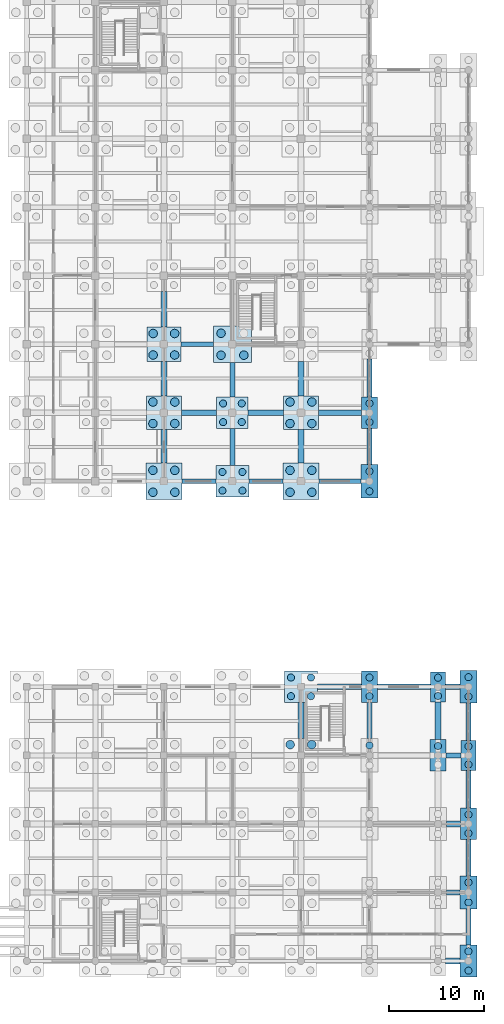
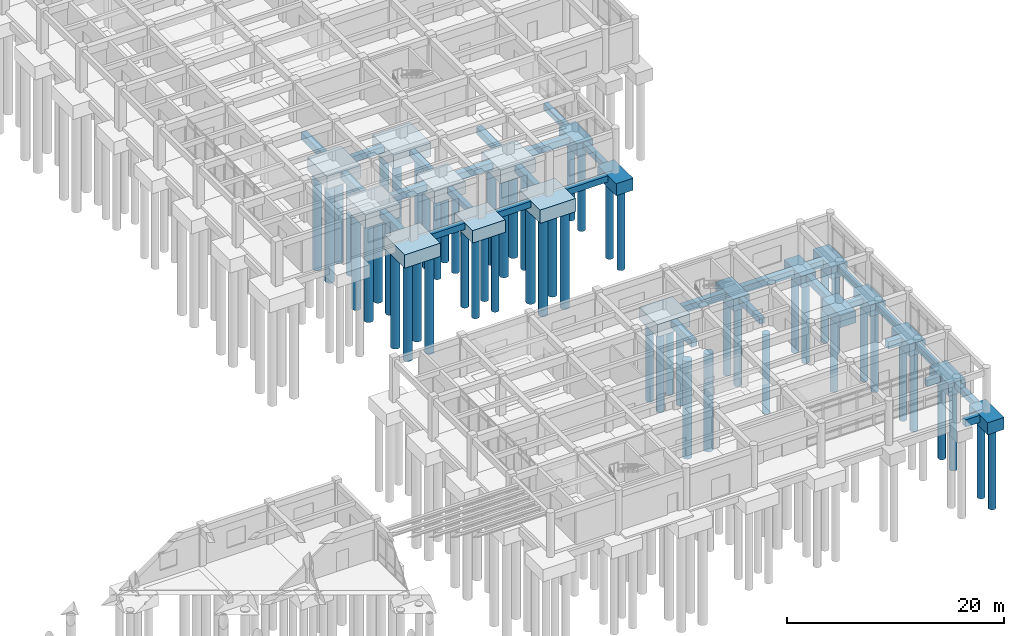
# One storey, part 13 of 79: 57 piles, 49 footings.
"""IFC4 building model written with IfcOpenShell, lengths in metres."""

from ifc_helpers import new_model, si_unit, direction, frame, origin, origin_2d, place, context, subcontext, project, spatial, polyline, rectangle, circle, outline, extrude, material, material_profile, profile_set, type_object, element, save


model = new_model("IFC4")

# Units and contexts
model_context = context("Model", 3, precision=1e-05, world=origin(), true_north=direction((0.0, 1.0)))
body_context = subcontext(model_context, "Body", "Model", "MODEL_VIEW")
ifc_project = project(units=[si_unit("LENGTHUNIT", "METRE"), si_unit("AREAUNIT", "SQUARE_METRE"), si_unit("VOLUMEUNIT", "CUBIC_METRE"), si_unit("PLANEANGLEUNIT", "RADIAN"), si_unit("MASSUNIT", "GRAM", prefix="KILO")], contexts=[model_context])

# Site, building, storey
site_placement = place(None, origin())
site = spatial("IfcSite", under=ifc_project, at=site_placement, CompositionType="ELEMENT")
building_placement = place(site_placement, origin())
building = spatial("IfcBuilding", under=site, at=building_placement, Name="Kavelor Marine Aquarium", CompositionType="ELEMENT")
storey_placement = place(building_placement, origin())
storey = spatial("IfcBuildingStorey", under=building, at=storey_placement, Name="L00", CompositionType="ELEMENT", Elevation=0.0)

# Footings
ifc_material_1 = material(Name="Concrete C40/50", Category="concrete")
footing_type_1 = type_object("IfcFootingType", Name="CAP-PC03", PredefinedType="PILE_CAP", material=ifc_material_1)
footing_1_placement = place(storey_placement, frame((0.0, 0.0, -1.89990234375)))
element("IfcFooting", 1, at=footing_1_placement, inside=storey, type_object=footing_type_1, Name="Pile Cap PC03 (20-J)", PredefinedType="PILE_CAP", context=body_context, shape_type="SweptSolid", body=[
    extrude(outline(polyline([(138.0, 65.699951171875), (142.0, 65.699951171875), (142.0, 69.5), (138.0, 69.5), (138.0, 65.699951171875)])), origin(), (0.0, 0.0, 1.0), 1.5498046875),
])
ifc_material_2 = material(Name="Concrete C40/50", Category="concrete")
footing_type_2 = type_object("IfcFootingType", Name="CAP-PC04", PredefinedType="PILE_CAP", material=ifc_material_2)
footing_2_placement = place(storey_placement, frame((0.0, 0.0, -1.85009765625)))
element("IfcFooting", 2, at=footing_2_placement, inside=storey, type_object=footing_type_2, Name="Pile Cap PC04 (19-H)", PredefinedType="PILE_CAP", context=body_context, shape_type="SweptSolid", body=[
    extrude(outline(polyline([(130.89990234375, 51.300048828125), (134.699951171875, 51.300048828125), (134.699951171875, 55.10009765625), (130.89990234375, 55.10009765625), (130.89990234375, 51.300048828125)])), origin(), (0.0, 0.0, 1.0), 1.5),
])
footing_3_placement = place(storey_placement, frame((0.0, 0.0, -1.85009765625)))
element("IfcFooting", 3, at=footing_3_placement, inside=storey, type_object=footing_type_2, Name="Pile Cap PC04 (21-H)", PredefinedType="PILE_CAP", context=body_context, shape_type="SweptSolid", body=[
    extrude(outline(polyline([(145.300048828125, 51.300048828125), (149.10009765625, 51.300048828125), (149.10009765625, 55.10009765625), (145.300048828125, 55.10009765625), (145.300048828125, 51.300048828125)])), origin(), (0.0, 0.0, 1.0), 1.5),
])
ifc_material_3 = material(Name="Concrete C40/50", Category="concrete")
footing_type_3 = type_object("IfcFootingType", Name="CAP-PC05", PredefinedType="PILE_CAP", material=ifc_material_3)
footing_4_placement = place(storey_placement, frame((0.0, 0.0, -1.85009765625)))
element("IfcFooting", 4, at=footing_4_placement, inside=storey, type_object=footing_type_3, Name="Pile Cap PC05 (19-I)", PredefinedType="PILE_CAP", context=body_context, shape_type="SweptSolid", body=[
    extrude(outline(polyline([(130.949951171875, 58.64990234375), (134.64990234375, 58.64990234375), (134.64990234375, 62.14990234375), (130.949951171875, 62.14990234375), (130.949951171875, 58.64990234375)])), origin(), (0.0, 0.0, 1.0), 1.5),
])
footing_5_placement = place(storey_placement, frame((0.0, 0.0, -1.85009765625)))
element("IfcFooting", 5, at=footing_5_placement, inside=storey, type_object=footing_type_3, Name="Pile Cap PC05 (21-I)", PredefinedType="PILE_CAP", context=body_context, shape_type="SweptSolid", body=[
    extrude(outline(polyline([(145.35009765625, 58.64990234375), (149.050048828125, 58.64990234375), (149.050048828125, 62.14990234375), (145.35009765625, 62.14990234375), (145.35009765625, 58.64990234375)])), origin(), (0.0, 0.0, 1.0), 1.5),
])
ifc_material_4 = material(Name="Concrete C40/50", Category="concrete")
footing_type_4 = type_object("IfcFootingType", Name="CAP-PC06", PredefinedType="PILE_CAP", material=ifc_material_4)
footing_6_placement = place(storey_placement, frame((0.0, 0.0, -1.800048828125)))
element("IfcFooting", 6, at=footing_6_placement, inside=storey, type_object=footing_type_4, Name="Pile Cap PC06 (19-J)", PredefinedType="PILE_CAP", context=body_context, shape_type="SweptSolid", body=[
    extrude(outline(polyline([(131.0, 65.800048828125), (134.60009765625, 65.800048828125), (134.60009765625, 69.39990234375), (131.0, 69.39990234375), (131.0, 65.800048828125)])), origin(), (0.0, 0.0, 1.0), 1.449951171875),
])
ifc_material_5 = material(Name="Concrete C40/50", Category="concrete")
footing_type_5 = type_object("IfcFootingType", Name="CAP-PC07", PredefinedType="PILE_CAP", material=ifc_material_5)
footing_7_placement = place(storey_placement, frame((0.0, 0.0, -1.75)))
element("IfcFooting", 7, at=footing_7_placement, inside=storey, type_object=footing_type_5, Name="Pile Cap PC07 (20-H)", PredefinedType="PILE_CAP", context=body_context, shape_type="SweptSolid", body=[
    extrude(outline(polyline([(138.25, 51.550048828125), (141.75, 51.550048828125), (141.75, 54.85009765625), (138.25, 54.85009765625), (138.25, 51.550048828125)])), origin(), (0.0, 0.0, 1.0), 1.39990234375),
])
footing_8_placement = place(storey_placement, frame((0.0, 0.0, -1.75)))
element("IfcFooting", 8, at=footing_8_placement, inside=storey, type_object=footing_type_5, Name="Pile Cap PC07 (21-E)", PredefinedType="PILE_CAP", context=body_context, shape_type="SweptSolid", body=[
    extrude(outline(polyline([(145.449951171875, 29.949951171875), (148.949951171875, 29.949951171875), (148.949951171875, 33.25), (145.449951171875, 33.25), (145.449951171875, 29.949951171875)])), origin(), (0.0, 0.0, 1.0), 1.39990234375),
])
ifc_material_6 = material(Name="Concrete C40/50", Category="concrete")
footing_type_6 = type_object("IfcFootingType", Name="CAP-PC08", PredefinedType="PILE_CAP", material=ifc_material_6)
footing_9_placement = place(storey_placement, frame((0.0, 0.0, -1.75)))
element("IfcFooting", 9, at=footing_9_placement, inside=storey, type_object=footing_type_6, Name="Pile Cap PC08 (20-I)", PredefinedType="PILE_CAP", context=body_context, shape_type="SweptSolid", body=[
    extrude(outline(polyline([(138.35009765625, 58.75), (141.64990234375, 58.75), (141.64990234375, 62.050048828125), (138.35009765625, 62.050048828125), (138.35009765625, 58.75)])), origin(), (0.0, 0.0, 1.0), 1.39990234375),
])
ifc_material_7 = material(Name="Concrete C40/50", Category="concrete")
footing_type_7 = type_object("IfcFootingType", Name="CAP-PC09", PredefinedType="PILE_CAP", material=ifc_material_7)
footing_10_placement = place(storey_placement, frame((0.0, 0.0, -1.699951171875)))
element("IfcFooting", 10, at=footing_10_placement, inside=storey, type_object=footing_type_7, Name="Pile Cap PC09 (22-H)", PredefinedType="PILE_CAP", context=body_context, shape_type="SweptSolid", body=[
    extrude(outline(polyline([(153.5, 51.449951171875), (155.300048828125, 51.449951171875), (155.300048828125, 54.949951171875), (153.5, 54.949951171875), (153.5, 51.449951171875)])), origin(), (0.0, 0.0, 1.0), 1.349853515625),
])
footing_11_placement = place(storey_placement, frame((0.0, 0.0, -1.699951171875)))
element("IfcFooting", 11, at=footing_11_placement, inside=storey, type_object=footing_type_7, Name="Pile Cap PC09 (24-B)", PredefinedType="PILE_CAP", context=body_context, shape_type="SweptSolid", body=[
    extrude(outline(polyline([(163.89990234375, 8.25), (165.699951171875, 8.25), (165.699951171875, 11.75), (163.89990234375, 11.75), (163.89990234375, 8.25)])), origin(), (0.0, 0.0, 1.0), 1.349853515625),
])
ifc_material_8 = material(Name="Concrete C40/50", Category="concrete")
footing_type_8 = type_object("IfcFootingType", Name="CAP-PC10", PredefinedType="PILE_CAP", material=ifc_material_8)
footing_12_placement = place(storey_placement, frame((0.0, 0.0, -1.699951171875)))
element("IfcFooting", 12, at=footing_12_placement, inside=storey, type_object=footing_type_8, Name="Pile Cap PC10 (22-E)", PredefinedType="PILE_CAP", context=body_context, shape_type="SweptSolid", body=[
    extrude(outline(polyline([(153.550048828125, 29.949951171875), (155.25, 29.949951171875), (155.25, 33.25), (153.550048828125, 33.25), (153.550048828125, 29.949951171875)])), origin(), (0.0, 0.0, 1.0), 1.349853515625),
])
footing_13_placement = place(storey_placement, frame((0.0, 0.0, -1.699951171875)))
element("IfcFooting", 13, at=footing_13_placement, inside=storey, type_object=footing_type_8, Name="Pile Cap PC10 (22-I)", PredefinedType="PILE_CAP", context=body_context, shape_type="SweptSolid", body=[
    extrude(outline(polyline([(153.550048828125, 58.75), (155.25, 58.75), (155.25, 62.050048828125), (153.550048828125, 62.050048828125), (153.550048828125, 58.75)])), origin(), (0.0, 0.0, 1.0), 1.349853515625),
])
footing_14_placement = place(storey_placement, frame((0.0, 0.0, -1.699951171875)))
element("IfcFooting", 14, at=footing_14_placement, inside=storey, type_object=footing_type_8, Name="Pile Cap PC10 (23-D)", PredefinedType="PILE_CAP", context=body_context, shape_type="SweptSolid", body=[
    extrude(outline(polyline([(160.75, 22.75), (162.449951171875, 22.75), (162.449951171875, 26.050048828125), (160.75, 26.050048828125), (160.75, 22.75)])), origin(), (0.0, 0.0, 1.0), 1.349853515625),
])
footing_15_placement = place(storey_placement, frame((0.0, 0.0, -1.699951171875)))
element("IfcFooting", 15, at=footing_15_placement, inside=storey, type_object=footing_type_8, Name="Pile Cap PC10 (24-C)", PredefinedType="PILE_CAP", context=body_context, shape_type="SweptSolid", body=[
    extrude(outline(polyline([(163.949951171875, 15.550048828125), (165.64990234375, 15.550048828125), (165.64990234375, 18.85009765625), (163.949951171875, 18.85009765625), (163.949951171875, 15.550048828125)])), origin(), (0.0, 0.0, 1.0), 1.349853515625),
])
ifc_material_9 = material(Name="Concrete C40/50", Category="concrete")
footing_type_9 = type_object("IfcFootingType", Name="CAP-PC11", PredefinedType="PILE_CAP", material=ifc_material_9)
footing_16_placement = place(storey_placement, frame((0.0, 0.0, -1.64990234375)))
element("IfcFooting", 16, at=footing_16_placement, inside=storey, type_object=footing_type_9, Name="Pile Cap PC11 (23-E)", PredefinedType="PILE_CAP", context=body_context, shape_type="SweptSolid", body=[
    extrude(outline(polyline([(160.800048828125, 30.02490234375), (162.39990234375, 30.02490234375), (162.39990234375, 33.175048828125), (160.800048828125, 33.175048828125), (160.800048828125, 30.02490234375)])), origin(), (0.0, 0.0, 1.0), 1.2998046875),
])
footing_17_placement = place(storey_placement, frame((0.0, 0.0, -1.64990234375)))
element("IfcFooting", 17, at=footing_17_placement, inside=storey, type_object=footing_type_9, Name="Pile Cap PC11 (24-D)", PredefinedType="PILE_CAP", context=body_context, shape_type="SweptSolid", body=[
    extrude(outline(polyline([(164.0, 22.824951171875), (165.60009765625, 22.824951171875), (165.60009765625, 25.97509765625), (164.0, 25.97509765625), (164.0, 22.824951171875)])), origin(), (0.0, 0.0, 1.0), 1.2998046875),
])
ifc_material_10 = material(Name="Concrete C40/50", Category="concrete")
footing_type_10 = type_object("IfcFootingType", Name="CAP-PC12", PredefinedType="PILE_CAP", material=ifc_material_10)
footing_18_placement = place(storey_placement, frame((0.0, 0.0, -1.699951171875)))
element("IfcFooting", 18, at=footing_18_placement, inside=storey, type_object=footing_type_10, Name="Pile Cap PC12 (24-A)", PredefinedType="PILE_CAP", context=body_context, shape_type="SweptSolid", body=[
    extrude(outline(polyline([(163.925048828125, 1.10009765625), (165.675048828125, 1.10009765625), (165.675048828125, 4.5), (163.925048828125, 4.5), (163.925048828125, 1.10009765625)])), origin(), (0.0, 0.0, 1.0), 1.349853515625),
])
footing_19_placement = place(storey_placement, frame((0.0, 0.0, -1.699951171875)))
element("IfcFooting", 19, at=footing_19_placement, inside=storey, type_object=footing_type_10, Name="Pile Cap PC12 (24-E)", PredefinedType="PILE_CAP", context=body_context, shape_type="SweptSolid", body=[
    extrude(outline(polyline([(163.925048828125, 29.89990234375), (165.675048828125, 29.89990234375), (165.675048828125, 33.300048828125), (163.925048828125, 33.300048828125), (163.925048828125, 29.89990234375)])), origin(), (0.0, 0.0, 1.0), 1.349853515625),
])
ifc_material_11 = material(Name="Concrete C40/50", Category="concrete")
ifc_material_profile_1 = material_profile(ifc_material_11, rectangle(XDim=0.60009765625, YDim=0.800048828125, at=origin_2d()), Name="GB 600x800")
ifc_profile_set_1 = profile_set([ifc_material_profile_1], Name="Concrete C40/50")
footing_type_11 = type_object("IfcFootingType", Name="FTB-GB1", PredefinedType="FOOTING_BEAM", material=ifc_profile_set_1)
footing_20_placement = place(storey_placement, frame((132.800048828125, 55.10009765625, -0.75), z_axis=(0.0, 1.0, 0.0), x_axis=(-1.0, 0.0, 0.0)))
element("IfcFooting", 20, at=footing_20_placement, inside=storey, type_object=footing_type_11, Name="ftb:y:18_07", PredefinedType="FOOTING_BEAM", context=body_context, shape_type="SweptSolid", body=[
    extrude(rectangle(XDim=0.60009765625, YDim=0.800048828125, at=origin_2d()), origin(), (0.0, 0.0, 1.0), 3.5498046875),
])
footing_21_placement = place(storey_placement, frame((134.64990234375, 60.39990234375, -0.75), z_axis=(1.0, 0.0, 0.0), x_axis=(0.0, 1.0, 0.0)))
element("IfcFooting", 21, at=footing_21_placement, inside=storey, type_object=footing_type_11, Name="ftb:x:18_08", PredefinedType="FOOTING_BEAM", context=body_context, shape_type="SweptSolid", body=[
    extrude(rectangle(XDim=0.60009765625, YDim=0.800048828125, at=origin_2d()), origin(), (0.0, 0.0, 1.0), 3.7001953125),
])
footing_22_placement = place(storey_placement, frame((132.800048828125, 62.14990234375, -0.75), z_axis=(0.0, 1.0, 0.0), x_axis=(-1.0, 0.0, 0.0)))
element("IfcFooting", 22, at=footing_22_placement, inside=storey, type_object=footing_type_11, Name="ftb:y:18_08", PredefinedType="FOOTING_BEAM", context=body_context, shape_type="SweptSolid", body=[
    extrude(rectangle(XDim=0.60009765625, YDim=0.800048828125, at=origin_2d()), origin(), (0.0, 0.0, 1.0), 3.650146484375),
])
footing_23_placement = place(storey_placement, frame((132.800048828125, 69.39990234375, -0.75), z_axis=(0.0, 1.0, 0.0), x_axis=(-1.0, 0.0, 0.0)))
element("IfcFooting", 23, at=footing_23_placement, inside=storey, type_object=footing_type_11, Name="ftb:y:18_09", PredefinedType="FOOTING_BEAM", context=body_context, shape_type="SweptSolid", body=[
    extrude(rectangle(XDim=0.60009765625, YDim=0.800048828125, at=origin_2d()), origin(), (0.0, 0.0, 1.0), 3.75),
])
footing_24_placement = place(storey_placement, frame((141.64990234375, 60.39990234375, -0.75), z_axis=(1.0, 0.0, 0.0), x_axis=(0.0, 1.0, 0.0)))
element("IfcFooting", 24, at=footing_24_placement, inside=storey, type_object=footing_type_11, Name="ftb:x:19_08", PredefinedType="FOOTING_BEAM", context=body_context, shape_type="SweptSolid", body=[
    extrude(rectangle(XDim=0.60009765625, YDim=0.800048828125, at=origin_2d()), origin(), (0.0, 0.0, 1.0), 3.7001953125),
])
footing_25_placement = place(storey_placement, frame((147.199951171875, 26.199951171875, -0.75), z_axis=(0.0, 1.0, 0.0), x_axis=(-1.0, 0.0, 0.0)))
element("IfcFooting", 25, at=footing_25_placement, inside=storey, type_object=footing_type_11, Name="ftb:y:20_03", PredefinedType="FOOTING_BEAM", context=body_context, shape_type="SweptSolid", body=[
    extrude(rectangle(XDim=0.60009765625, YDim=0.800048828125, at=origin_2d()), origin(), (0.0, 0.0, 1.0), 3.75),
])
footing_26_placement = place(storey_placement, frame((148.949951171875, 31.60009765625, -0.75), z_axis=(1.0, 0.0, 0.0), x_axis=(0.0, 1.0, 0.0)))
element("IfcFooting", 26, at=footing_26_placement, inside=storey, type_object=footing_type_11, Name="ftb:x:20_04", PredefinedType="FOOTING_BEAM", context=body_context, shape_type="SweptSolid", body=[
    extrude(rectangle(XDim=0.60009765625, YDim=0.800048828125, at=origin_2d()), origin(), (0.0, 0.0, 1.0), 4.60009765625),
])
footing_27_placement = place(storey_placement, frame((147.199951171875, 55.10009765625, -0.75), z_axis=(0.0, 1.0, 0.0), x_axis=(-1.0, 0.0, 0.0)))
element("IfcFooting", 27, at=footing_27_placement, inside=storey, type_object=footing_type_11, Name="ftb:y:20_07", PredefinedType="FOOTING_BEAM", context=body_context, shape_type="SweptSolid", body=[
    extrude(rectangle(XDim=0.60009765625, YDim=0.800048828125, at=origin_2d()), origin(), (0.0, 0.0, 1.0), 3.5498046875),
])
footing_28_placement = place(storey_placement, frame((149.050048828125, 60.39990234375, -0.75), z_axis=(1.0, 0.0, 0.0), x_axis=(0.0, 1.0, 0.0)))
element("IfcFooting", 28, at=footing_28_placement, inside=storey, type_object=footing_type_11, Name="ftb:x:20_08", PredefinedType="FOOTING_BEAM", context=body_context, shape_type="SweptSolid", body=[
    extrude(rectangle(XDim=0.60009765625, YDim=0.800048828125, at=origin_2d()), origin(), (0.0, 0.0, 1.0), 4.5),
])
footing_29_placement = place(storey_placement, frame((147.199951171875, 62.14990234375, -0.75), z_axis=(0.0, 1.0, 0.0), x_axis=(-1.0, 0.0, 0.0)))
element("IfcFooting", 29, at=footing_29_placement, inside=storey, type_object=footing_type_11, Name="ftb:y:20_08", PredefinedType="FOOTING_BEAM", context=body_context, shape_type="SweptSolid", body=[
    extrude(rectangle(XDim=0.60009765625, YDim=0.800048828125, at=origin_2d()), origin(), (0.0, 0.0, 1.0), 3.650146484375),
])
footing_30_placement = place(storey_placement, frame((155.25, 31.60009765625, -0.75), z_axis=(1.0, 0.0, 0.0), x_axis=(0.0, 1.0, 0.0)))
element("IfcFooting", 30, at=footing_30_placement, inside=storey, type_object=footing_type_11, Name="ftb:x:21_04", PredefinedType="FOOTING_BEAM", context=body_context, shape_type="SweptSolid", body=[
    extrude(rectangle(XDim=0.60009765625, YDim=0.800048828125, at=origin_2d()), origin(), (0.0, 0.0, 1.0), 5.550048828125),
])
footing_31_placement = place(storey_placement, frame((162.39990234375, 2.800048828125, -0.75), z_axis=(1.0, 0.0, 0.0), x_axis=(0.0, 1.0, 0.0)))
element("IfcFooting", 31, at=footing_31_placement, inside=storey, type_object=footing_type_11, Name="ftb:x:22_00", PredefinedType="FOOTING_BEAM", context=body_context, shape_type="SweptSolid", body=[
    extrude(rectangle(XDim=0.60009765625, YDim=0.800048828125, at=origin_2d()), origin(), (0.0, 0.0, 1.0), 1.525146484375),
])
footing_32_placement = place(storey_placement, frame((162.5, 17.199951171875, -0.75), z_axis=(1.0, 0.0, 0.0), x_axis=(0.0, 1.0, 0.0)))
element("IfcFooting", 32, at=footing_32_placement, inside=storey, type_object=footing_type_11, Name="ftb:x:22_02", PredefinedType="FOOTING_BEAM", context=body_context, shape_type="SweptSolid", body=[
    extrude(rectangle(XDim=0.60009765625, YDim=0.800048828125, at=origin_2d()), origin(), (0.0, 0.0, 1.0), 1.449951171875),
])
footing_33_placement = place(storey_placement, frame((161.60009765625, 26.050048828125, -0.75), z_axis=(0.0, 1.0, 0.0), x_axis=(-1.0, 0.0, 0.0)))
element("IfcFooting", 33, at=footing_33_placement, inside=storey, type_object=footing_type_11, Name="ftb:y:22_03", PredefinedType="FOOTING_BEAM", context=body_context, shape_type="SweptSolid", body=[
    extrude(rectangle(XDim=0.60009765625, YDim=0.800048828125, at=origin_2d()), origin(), (0.0, 0.0, 1.0), 3.974853515625),
])
footing_34_placement = place(storey_placement, frame((162.39990234375, 31.60009765625, -0.75), z_axis=(1.0, 0.0, 0.0), x_axis=(0.0, 1.0, 0.0)))
element("IfcFooting", 34, at=footing_34_placement, inside=storey, type_object=footing_type_11, Name="ftb:x:22_04", PredefinedType="FOOTING_BEAM", context=body_context, shape_type="SweptSolid", body=[
    extrude(rectangle(XDim=0.60009765625, YDim=0.800048828125, at=origin_2d()), origin(), (0.0, 0.0, 1.0), 1.525146484375),
])
ifc_material_12 = material(Name="Concrete C40/50", Category="concrete")
ifc_material_profile_2 = material_profile(ifc_material_12, rectangle(XDim=0.5, YDim=0.699951171875, at=origin_2d()), Name="GB 500x700")
ifc_profile_set_2 = profile_set([ifc_material_profile_2], Name="Concrete C40/50")
footing_type_12 = type_object("IfcFootingType", Name="FTB-GB2", PredefinedType="FOOTING_BEAM", material=ifc_profile_set_2)
footing_35_placement = place(storey_placement, frame((134.699951171875, 53.199951171875, -0.699951171875), z_axis=(1.0, 0.0, 0.0), x_axis=(0.0, 1.0, 0.0)))
element("IfcFooting", 35, at=footing_35_placement, inside=storey, type_object=footing_type_12, Name="ftb:x:18_07", PredefinedType="FOOTING_BEAM", context=body_context, shape_type="SweptSolid", body=[
    extrude(rectangle(XDim=0.5, YDim=0.699951171875, at=origin_2d()), origin(), (0.0, 0.0, 1.0), 3.550048828125),
])
footing_36_placement = place(storey_placement, frame((134.60009765625, 67.60009765625, -0.699951171875), z_axis=(1.0, 0.0, 0.0), x_axis=(0.0, 1.0, 0.0)))
element("IfcFooting", 36, at=footing_36_placement, inside=storey, type_object=footing_type_12, Name="ftb:x:18_09", PredefinedType="FOOTING_BEAM", context=body_context, shape_type="SweptSolid", body=[
    extrude(rectangle(XDim=0.5, YDim=0.699951171875, at=origin_2d()), origin(), (0.0, 0.0, 1.0), 3.39990234375),
])
footing_37_placement = place(storey_placement, frame((141.75, 53.199951171875, -0.699951171875), z_axis=(1.0, 0.0, 0.0), x_axis=(0.0, 1.0, 0.0)))
element("IfcFooting", 37, at=footing_37_placement, inside=storey, type_object=footing_type_12, Name="ftb:x:19_07", PredefinedType="FOOTING_BEAM", context=body_context, shape_type="SweptSolid", body=[
    extrude(rectangle(XDim=0.5, YDim=0.699951171875, at=origin_2d()), origin(), (0.0, 0.0, 1.0), 3.550048828125),
])
footing_38_placement = place(storey_placement, frame((140.0, 54.85009765625, -0.699951171875), z_axis=(0.0, 1.0, 0.0), x_axis=(-1.0, 0.0, 0.0)))
element("IfcFooting", 38, at=footing_38_placement, inside=storey, type_object=footing_type_12, Name="ftb:y:19_07", PredefinedType="FOOTING_BEAM", context=body_context, shape_type="SweptSolid", body=[
    extrude(rectangle(XDim=0.5, YDim=0.699951171875, at=origin_2d()), origin(), (0.0, 0.0, 1.0), 3.89990234375),
])
footing_39_placement = place(storey_placement, frame((140.0, 62.050048828125, -0.699951171875), z_axis=(0.0, 1.0, 0.0), x_axis=(-1.0, 0.0, 0.0)))
element("IfcFooting", 39, at=footing_39_placement, inside=storey, type_object=footing_type_12, Name="ftb:y:19_08", PredefinedType="FOOTING_BEAM", context=body_context, shape_type="SweptSolid", body=[
    extrude(rectangle(XDim=0.5, YDim=0.699951171875, at=origin_2d()), origin(), (0.0, 0.0, 1.0), 3.64990234375),
])
footing_40_placement = place(storey_placement, frame((149.10009765625, 53.199951171875, -0.699951171875), z_axis=(1.0, 0.0, 0.0), x_axis=(0.0, 1.0, 0.0)))
element("IfcFooting", 40, at=footing_40_placement, inside=storey, type_object=footing_type_12, Name="ftb:x:20_07", PredefinedType="FOOTING_BEAM", context=body_context, shape_type="SweptSolid", body=[
    extrude(rectangle(XDim=0.5, YDim=0.699951171875, at=origin_2d()), origin(), (0.0, 0.0, 1.0), 4.39990234375),
])
for number, where, z_axis, x_axis, name in (
    (41, (154.39990234375, 26.14990234375, -0.699951171875), (0.0, 1.0, 0.0), (-1.0, 0.0, 0.0), "ftb:y:21_03"),
    (42, (154.39990234375, 54.949951171875, -0.699951171875), (0.0, 1.0, 0.0), (-1.0, 0.0, 0.0), "ftb:y:21_07"),
):
    element("IfcFooting", number, at=place(storey_placement, frame(where, z_axis=z_axis, x_axis=x_axis)), inside=storey, type_object=footing_type_12, Name=name, PredefinedType="FOOTING_BEAM", context=body_context, shape_type="SweptSolid", body=[
        extrude(rectangle(XDim=0.5, YDim=0.699951171875, at=origin_2d()), origin(), (0.0, 0.0, 1.0), 3.800048828125),
    ])
footing_41_placement = place(storey_placement, frame((154.39990234375, 62.050048828125, -0.699951171875), z_axis=(0.0, 1.0, 0.0), x_axis=(-1.0, 0.0, 0.0)))
element("IfcFooting", 43, at=footing_41_placement, inside=storey, type_object=footing_type_12, Name="ftb:y:21_08", PredefinedType="FOOTING_BEAM", context=body_context, shape_type="SweptSolid", body=[
    extrude(rectangle(XDim=0.5, YDim=0.699951171875, at=origin_2d()), origin(), (0.0, 0.0, 1.0), 3.974853515625),
])
footing_42_placement = place(storey_placement, frame((162.47509765625, 10.0, -0.699951171875), z_axis=(1.0, 0.0, 0.0), x_axis=(0.0, 1.0, 0.0)))
element("IfcFooting", 44, at=footing_42_placement, inside=storey, type_object=footing_type_12, Name="ftb:x:22_01", PredefinedType="FOOTING_BEAM", context=body_context, shape_type="SweptSolid", body=[
    extrude(rectangle(XDim=0.5, YDim=0.699951171875, at=origin_2d()), origin(), (0.0, 0.0, 1.0), 1.4248046875),
])
footing_43_placement = place(storey_placement, frame((162.449951171875, 24.39990234375, -0.699951171875), z_axis=(1.0, 0.0, 0.0), x_axis=(0.0, 1.0, 0.0)))
element("IfcFooting", 45, at=footing_43_placement, inside=storey, type_object=footing_type_12, Name="ftb:x:22_03", PredefinedType="FOOTING_BEAM", context=body_context, shape_type="SweptSolid", body=[
    extrude(rectangle(XDim=0.5, YDim=0.699951171875, at=origin_2d()), origin(), (0.0, 0.0, 1.0), 1.550048828125),
])
footing_44_placement = place(storey_placement, frame((164.800048828125, 4.5, -0.699951171875), z_axis=(0.0, 1.0, 0.0), x_axis=(-1.0, 0.0, 0.0)))
element("IfcFooting", 46, at=footing_44_placement, inside=storey, type_object=footing_type_12, Name="ftb:y:23_00", PredefinedType="FOOTING_BEAM", context=body_context, shape_type="SweptSolid", body=[
    extrude(rectangle(XDim=0.5, YDim=0.699951171875, at=origin_2d()), origin(), (0.0, 0.0, 1.0), 3.75),
])
footing_45_placement = place(storey_placement, frame((164.800048828125, 11.75, -0.699951171875), z_axis=(0.0, 1.0, 0.0), x_axis=(-1.0, 0.0, 0.0)))
element("IfcFooting", 47, at=footing_45_placement, inside=storey, type_object=footing_type_12, Name="ftb:y:23_01", PredefinedType="FOOTING_BEAM", context=body_context, shape_type="SweptSolid", body=[
    extrude(rectangle(XDim=0.5, YDim=0.699951171875, at=origin_2d()), origin(), (0.0, 0.0, 1.0), 3.800048828125),
])
footing_46_placement = place(storey_placement, frame((164.800048828125, 18.85009765625, -0.699951171875), z_axis=(0.0, 1.0, 0.0), x_axis=(-1.0, 0.0, 0.0)))
element("IfcFooting", 48, at=footing_46_placement, inside=storey, type_object=footing_type_12, Name="ftb:y:23_02", PredefinedType="FOOTING_BEAM", context=body_context, shape_type="SweptSolid", body=[
    extrude(rectangle(XDim=0.5, YDim=0.699951171875, at=origin_2d()), origin(), (0.0, 0.0, 1.0), 3.974853515625),
])
footing_47_placement = place(storey_placement, frame((164.800048828125, 25.97509765625, -0.699951171875), z_axis=(0.0, 1.0, 0.0), x_axis=(-1.0, 0.0, 0.0)))
element("IfcFooting", 49, at=footing_47_placement, inside=storey, type_object=footing_type_12, Name="ftb:y:23_03", PredefinedType="FOOTING_BEAM", context=body_context, shape_type="SweptSolid", body=[
    extrude(rectangle(XDim=0.5, YDim=0.699951171875, at=origin_2d()), origin(), (0.0, 0.0, 1.0), 3.9248046875),
])

# Piles
ifc_material_13 = material(Name="Concrete C40/50", Category="concrete")
ifc_material_profile_3 = material_profile(ifc_material_13, circle(Radius=0.449951171875, at=origin_2d()), Name="PILE D900")
ifc_profile_set_3 = profile_set([ifc_material_profile_3], Name="Concrete C40/50")
pile_type_1 = type_object("IfcPileType", Name="PILE-P2", PredefinedType="BORED", material=ifc_profile_set_3)
for number, where, z_axis, x_axis, name in (
    (50, (131.64990234375, 52.050048828125, -1.75), (0.0, 0.0, -1.0), (1.0, 0.0, 0.0), "Bored Pile P2 (19-H-1)"),
    (51, (133.949951171875, 52.050048828125, -1.75), (0.0, 0.0, -1.0), (1.0, 0.0, 0.0), "Bored Pile P2 (19-H-2)"),
    (52, (131.64990234375, 54.35009765625, -1.75), (0.0, 0.0, -1.0), (1.0, 0.0, 0.0), "Bored Pile P2 (19-H-3)"),
    (53, (133.949951171875, 54.35009765625, -1.75), (0.0, 0.0, -1.0), (1.0, 0.0, 0.0), "Bored Pile P2 (19-H-4)"),
    (54, (131.64990234375, 59.27001953125, -1.75), (0.0, 0.0, -1.0), (1.0, 0.0, 0.0), "Bored Pile P2 (19-I-1)"),
    (55, (133.949951171875, 59.27001953125, -1.75), (0.0, 0.0, -1.0), (1.0, 0.0, 0.0), "Bored Pile P2 (19-I-2)"),
    (56, (131.64990234375, 61.530029296875, -1.75), (0.0, 0.0, -1.0), (1.0, 0.0, 0.0), "Bored Pile P2 (19-I-3)"),
    (57, (133.949951171875, 61.530029296875, -1.75), (0.0, 0.0, -1.0), (1.0, 0.0, 0.0), "Bored Pile P2 (19-I-4)"),
    (58, (131.669921875, 66.469970703125, -1.699951171875), (0.0, 0.0, -1.0), (1.0, 0.0, 0.0), "Bored Pile P2 (19-J-1)"),
    (59, (133.929931640625, 66.469970703125, -1.699951171875), (0.0, 0.0, -1.0), (1.0, 0.0, 0.0), "Bored Pile P2 (19-J-2)"),
    (60, (131.669921875, 68.72998046875, -1.699951171875), (0.0, 0.0, -1.0), (1.0, 0.0, 0.0), "Bored Pile P2 (19-J-3)"),
    (61, (133.929931640625, 68.72998046875, -1.699951171875), (0.0, 0.0, -1.0), (1.0, 0.0, 0.0), "Bored Pile P2 (19-J-4)"),
    (62, (138.800048828125, 66.449951171875, -1.800048828125), (0.0, 0.0, -1.0), (1.0, 0.0, 0.0), "Bored Pile P2 (20-J-1)"),
    (63, (141.199951171875, 66.449951171875, -1.800048828125), (0.0, 0.0, -1.0), (1.0, 0.0, 0.0), "Bored Pile P2 (20-J-2)"),
    (64, (138.800048828125, 68.75, -1.800048828125), (0.0, 0.0, -1.0), (1.0, 0.0, 0.0), "Bored Pile P2 (20-J-3)"),
    (65, (146.070068359375, 25.530029296875, -1.699951171875), (0.0, 0.0, -1.0), (1.0, 0.0, 0.0), "Bored Pile P2 (21-D-3)"),
    (66, (148.330078125, 25.530029296875, -1.699951171875), (0.0, 0.0, -1.0), (1.0, 0.0, 0.0), "Bored Pile P2 (21-D-4)"),
    (67, (146.050048828125, 52.050048828125, -1.75), (0.0, 0.0, -1.0), (1.0, 0.0, 0.0), "Bored Pile P2 (21-H-1)"),
    (68, (148.35009765625, 52.050048828125, -1.75), (0.0, 0.0, -1.0), (1.0, 0.0, 0.0), "Bored Pile P2 (21-H-2)"),
    (69, (146.050048828125, 54.35009765625, -1.75), (0.0, 0.0, -1.0), (1.0, 0.0, 0.0), "Bored Pile P2 (21-H-3)"),
    (70, (148.35009765625, 54.35009765625, -1.75), (0.0, 0.0, -1.0), (1.0, 0.0, 0.0), "Bored Pile P2 (21-H-4)"),
    (71, (146.050048828125, 59.27001953125, -1.75), (0.0, 0.0, -1.0), (1.0, 0.0, 0.0), "Bored Pile P2 (21-I-1)"),
    (72, (148.35009765625, 59.27001953125, -1.75), (0.0, 0.0, -1.0), (1.0, 0.0, 0.0), "Bored Pile P2 (21-I-2)"),
    (73, (146.050048828125, 61.530029296875, -1.75), (0.0, 0.0, -1.0), (1.0, 0.0, 0.0), "Bored Pile P2 (21-I-3)"),
    (74, (148.35009765625, 61.530029296875, -1.75), (0.0, 0.0, -1.0), (1.0, 0.0, 0.0), "Bored Pile P2 (21-I-4)"),
):
    element("IfcPile", number, at=place(storey_placement, frame(where, z_axis=z_axis, x_axis=x_axis)), inside=storey, type_object=pile_type_1, Name=name, PredefinedType="BORED", context=body_context, shape_type="SweptSolid", body=[
        extrude(circle(Radius=0.449951171875, at=origin_2d()), origin(), (0.0, 0.0, 1.0), 11.0),
    ])
ifc_material_14 = material(Name="Concrete C40/50", Category="concrete")
ifc_material_profile_4 = material_profile(ifc_material_14, circle(Radius=0.375, at=origin_2d()), Name="PILE D750")
ifc_profile_set_4 = profile_set([ifc_material_profile_4], Name="Concrete C40/50")
pile_type_2 = type_object("IfcPileType", Name="PILE-P3", PredefinedType="BORED", material=ifc_profile_set_4)
for number, where, z_axis, x_axis, name in (
    (75, (138.949951171875, 52.219970703125, -1.64990234375), (0.0, 0.0, -1.0), (1.0, 0.0, 0.0), "Bored Pile P3 (20-H-1)"),
    (76, (141.050048828125, 52.219970703125, -1.64990234375), (0.0, 0.0, -1.0), (1.0, 0.0, 0.0), "Bored Pile P3 (20-H-2)"),
    (77, (138.949951171875, 54.179931640625, -1.64990234375), (0.0, 0.0, -1.0), (1.0, 0.0, 0.0), "Bored Pile P3 (20-H-3)"),
    (78, (141.050048828125, 54.179931640625, -1.64990234375), (0.0, 0.0, -1.0), (1.0, 0.0, 0.0), "Bored Pile P3 (20-H-4)"),
    (79, (139.02001953125, 59.419921875, -1.64990234375), (0.0, 0.0, -1.0), (1.0, 0.0, 0.0), "Bored Pile P3 (20-I-1)"),
    (80, (140.97998046875, 59.419921875, -1.64990234375), (0.0, 0.0, -1.0), (1.0, 0.0, 0.0), "Bored Pile P3 (20-I-2)"),
    (81, (139.02001953125, 61.3798828125, -1.64990234375), (0.0, 0.0, -1.0), (1.0, 0.0, 0.0), "Bored Pile P3 (20-I-3)"),
    (82, (140.97998046875, 61.3798828125, -1.64990234375), (0.0, 0.0, -1.0), (1.0, 0.0, 0.0), "Bored Pile P3 (20-I-4)"),
    (83, (146.14990234375, 30.6201171875, -1.64990234375), (0.0, 0.0, -1.0), (1.0, 0.0, 0.0), "Bored Pile P3 (21-E-1)"),
    (84, (148.25, 30.6201171875, -1.64990234375), (0.0, 0.0, -1.0), (1.0, 0.0, 0.0), "Bored Pile P3 (21-E-2)"),
    (85, (146.14990234375, 32.580078125, -1.64990234375), (0.0, 0.0, -1.0), (1.0, 0.0, 0.0), "Bored Pile P3 (21-E-3)"),
    (86, (148.25, 32.580078125, -1.64990234375), (0.0, 0.0, -1.0), (1.0, 0.0, 0.0), "Bored Pile P3 (21-E-4)"),
    (87, (154.39990234375, 25.449951171875, -1.60009765625), (0.0, 0.0, -1.0), (1.0, 0.0, 0.0), "Bored Pile P3 (22-D-2)"),
    (88, (154.39990234375, 30.6201171875, -1.60009765625), (0.0, 0.0, -1.0), (1.0, 0.0, 0.0), "Bored Pile P3 (22-E-1)"),
    (89, (154.39990234375, 32.580078125, -1.60009765625), (0.0, 0.0, -1.0), (1.0, 0.0, 0.0), "Bored Pile P3 (22-E-2)"),
    (90, (154.39990234375, 52.14990234375, -1.60009765625), (0.0, 0.0, -1.0), (1.0, 0.0, 0.0), "Bored Pile P3 (22-H-1)"),
    (91, (154.39990234375, 54.25, -1.60009765625), (0.0, 0.0, -1.0), (1.0, 0.0, 0.0), "Bored Pile P3 (22-H-2)"),
    (92, (154.39990234375, 59.419921875, -1.60009765625), (0.0, 0.0, -1.0), (1.0, 0.0, 0.0), "Bored Pile P3 (22-I-1)"),
    (93, (154.39990234375, 61.3798828125, -1.60009765625), (0.0, 0.0, -1.0), (1.0, 0.0, 0.0), "Bored Pile P3 (22-I-2)"),
    (94, (161.60009765625, 25.3798828125, -1.60009765625), (0.0, 0.0, -1.0), (1.0, 0.0, 0.0), "Bored Pile P3 (23-D-2)"),
    (95, (161.60009765625, 30.639892578125, -1.550048828125), (0.0, 0.0, -1.0), (1.0, 0.0, 0.0), "Bored Pile P3 (23-E-1)"),
    (96, (161.60009765625, 32.56005859375, -1.550048828125), (0.0, 0.0, -1.0), (1.0, 0.0, 0.0), "Bored Pile P3 (23-E-2)"),
    (97, (164.800048828125, 1.780029296875, -1.60009765625), (0.0, 0.0, -1.0), (1.0, 0.0, 0.0), "Bored Pile P3 (24-A-1)"),
    (98, (164.800048828125, 3.820068359375, -1.60009765625), (0.0, 0.0, -1.0), (1.0, 0.0, 0.0), "Bored Pile P3 (24-A-2)"),
    (99, (164.800048828125, 8.949951171875, -1.60009765625), (0.0, 0.0, -1.0), (1.0, 0.0, 0.0), "Bored Pile P3 (24-B-1)"),
    (100, (164.800048828125, 11.050048828125, -1.60009765625), (0.0, 0.0, -1.0), (1.0, 0.0, 0.0), "Bored Pile P3 (24-B-2)"),
    (101, (164.800048828125, 16.219970703125, -1.60009765625), (0.0, 0.0, -1.0), (1.0, 0.0, 0.0), "Bored Pile P3 (24-C-1)"),
    (102, (164.800048828125, 18.179931640625, -1.60009765625), (0.0, 0.0, -1.0), (1.0, 0.0, 0.0), "Bored Pile P3 (24-C-2)"),
    (103, (164.800048828125, 23.43994140625, -1.550048828125), (0.0, 0.0, -1.0), (1.0, 0.0, 0.0), "Bored Pile P3 (24-D-1)"),
    (104, (164.800048828125, 25.360107421875, -1.550048828125), (0.0, 0.0, -1.0), (1.0, 0.0, 0.0), "Bored Pile P3 (24-D-2)"),
    (105, (164.800048828125, 30.580078125, -1.60009765625), (0.0, 0.0, -1.0), (1.0, 0.0, 0.0), "Bored Pile P3 (24-E-1)"),
    (106, (164.800048828125, 32.6201171875, -1.60009765625), (0.0, 0.0, -1.0), (1.0, 0.0, 0.0), "Bored Pile P3 (24-E-2)"),
):
    element("IfcPile", number, at=place(storey_placement, frame(where, z_axis=z_axis, x_axis=x_axis)), inside=storey, type_object=pile_type_2, Name=name, PredefinedType="BORED", context=body_context, shape_type="SweptSolid", body=[
        extrude(circle(Radius=0.375, at=origin_2d()), origin(), (0.0, 0.0, 1.0), 9.0),
    ])

save(model, "model.ifc")
